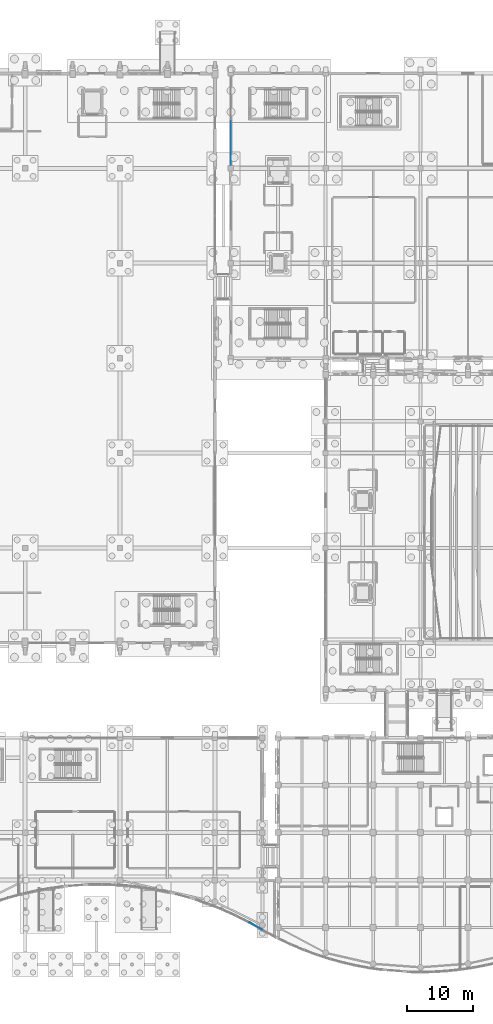
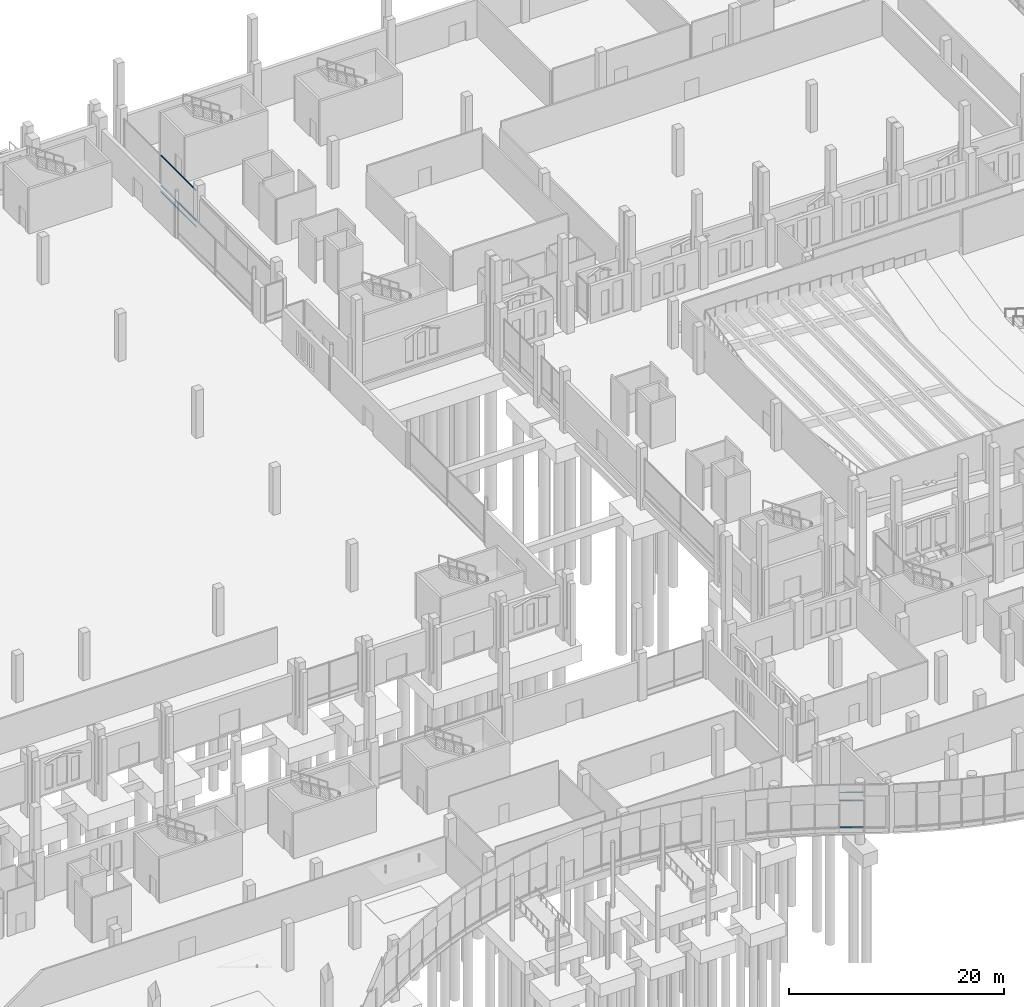
# One storey, part 69 of 192: 6 members, 2 elements without a shape of their own.
"""IFC4 building model written with IfcOpenShell, lengths in metres."""

from ifc_helpers import new_model, si_unit, direction, frame, origin, origin_2d, place, context, subcontext, project, spatial, hollow_rectangle, extrude, material, material_profile, profile_set, type_object, element, aggregate, save


model = new_model("IFC4")

# Units and contexts
model_context = context("Model", 3, precision=1e-05, world=origin(), true_north=direction((0.0, 1.0)))
body_context = subcontext(model_context, "Body", "Model", "MODEL_VIEW")
ifc_project = project(units=[si_unit("LENGTHUNIT", "METRE"), si_unit("AREAUNIT", "SQUARE_METRE"), si_unit("VOLUMEUNIT", "CUBIC_METRE"), si_unit("PLANEANGLEUNIT", "RADIAN"), si_unit("MASSUNIT", "GRAM", prefix="KILO")], contexts=[model_context])

# Site, building, storey
site_placement = place(None, origin())
site = spatial("IfcSite", under=ifc_project, at=site_placement, CompositionType="ELEMENT")
building_placement = place(site_placement, origin())
building = spatial("IfcBuilding", under=site, at=building_placement, Name="Cendralis Lancet Convention Centre", CompositionType="ELEMENT")
storey_placement = place(building_placement, origin())
storey = spatial("IfcBuildingStorey", under=building, at=storey_placement, Name="L00", CompositionType="ELEMENT", Elevation=0.0)

# Curtain wall, members
ifc_material = material(Name="Anodised bronze architectural aluminium", Category="aluminium")
curtain_wall_type_1 = type_object("IfcCurtainWallType", Name="ARC-CW-WF01", PredefinedType="USERDEFINED", material=ifc_material)
curtain_wall_1_placement = place(storey_placement, origin())
curtain_wall_1 = element("IfcCurtainWall", 1, at=curtain_wall_1_placement, inside=storey, type_object=curtain_wall_type_1, Name="L00 Curtain Wall CW-WF1 #054", ObjectType="CURTAIN WALL", PredefinedType="USERDEFINED")
ifc_material_profile = material_profile(ifc_material, hollow_rectangle(XDim=0.06005859375, YDim=0.1201171875, WallThickness=0.00390625, at=origin_2d()), Name="AL-TRAN 60x120x4.0")
ifc_profile_set = profile_set([ifc_material_profile], Name="Anodised bronze architectural aluminium")
member_type = type_object("IfcMemberType", Name="ARC-CW-TR01", PredefinedType="USERDEFINED", material=ifc_profile_set)
member_1_placement = place(storey_placement, frame((127.64208984375, 7.96533203125, 0.510009765625), z_axis=(0.869356216122, -0.494185966505, 0.0), x_axis=(0.494185966505, 0.869356216122, 0.0)))
member_1 = element("IfcMember", 2, at=member_1_placement, type_object=member_type, Name="Transom CW2-CW-WF1-L00-054-T0BOT", ObjectType="TRANSOM", PredefinedType="USERDEFINED", context=body_context, shape_type="SweptSolid", body=[
    extrude(hollow_rectangle(XDim=0.06005859375, YDim=0.1201171875, WallThickness=0.00390625, at=origin_2d()), origin(), (0.0, 0.0, 1.0), 2.209228515625),
])
member_2_placement = place(storey_placement, frame((127.64208984375, 7.96533203125, 3.574951171875), z_axis=(0.869356216122, -0.494185966505, 0.0), x_axis=(0.494185966505, 0.869356216122, 0.0)))
member_2 = element("IfcMember", 3, at=member_2_placement, type_object=member_type, Name="Transom CW2-CW-WF1-L00-054-T0MID", ObjectType="TRANSOM", PredefinedType="USERDEFINED", context=body_context, shape_type="SweptSolid", body=[
    extrude(hollow_rectangle(XDim=0.06005859375, YDim=0.1201171875, WallThickness=0.00390625, at=origin_2d()), origin(), (0.0, 0.0, 1.0), 2.209228515625),
])
member_3_placement = place(storey_placement, frame((127.64208984375, 7.96533203125, 4.445068359375), z_axis=(0.869356216122, -0.494185966505, 0.0), x_axis=(0.494185966505, 0.869356216122, 0.0)))
member_3 = element("IfcMember", 4, at=member_3_placement, type_object=member_type, Name="Transom CW2-CW-WF1-L00-054-T0TOP", ObjectType="TRANSOM", PredefinedType="USERDEFINED", context=body_context, shape_type="SweptSolid", body=[
    extrude(hollow_rectangle(XDim=0.06005859375, YDim=0.1201171875, WallThickness=0.00390625, at=origin_2d()), origin(), (0.0, 0.0, 1.0), 2.209228515625),
])
aggregate(curtain_wall_1, [member_1, member_2, member_3])

curtain_wall_type_2 = type_object("IfcCurtainWallType", Name="ARC-CW-BL01", PredefinedType="USERDEFINED", material=ifc_material)
curtain_wall_2_placement = place(storey_placement, origin())
curtain_wall_2 = element("IfcCurtainWall", 5, at=curtain_wall_2_placement, inside=storey, type_object=curtain_wall_type_2, Name="L00 Curtain Wall CW-BL1 #146", ObjectType="CURTAIN WALL", PredefinedType="USERDEFINED")
member_4_placement = place(storey_placement, frame((124.800048828125, 122.919921875, 0.06005859375), z_axis=(0.0, 1.0, 0.0), x_axis=(-1.0, 0.0, 0.0)))
member_4 = element("IfcMember", 6, at=member_4_placement, type_object=member_type, Name="Transom CW2-CW-BL1-L00-146-T0BOT", ObjectType="TRANSOM", PredefinedType="USERDEFINED", context=body_context, shape_type="SweptSolid", body=[
    extrude(hollow_rectangle(XDim=0.06005859375, YDim=0.1201171875, WallThickness=0.00390625, at=origin_2d()), origin(), (0.0, 0.0, 1.0), 6.610107421875),
])
member_5_placement = place(storey_placement, frame((124.800048828125, 122.919921875, 0.75), z_axis=(0.0, 1.0, 0.0), x_axis=(-1.0, 0.0, 0.0)))
member_5 = element("IfcMember", 7, at=member_5_placement, type_object=member_type, Name="Transom CW2-CW-BL1-L00-146-T0MID", ObjectType="TRANSOM", PredefinedType="USERDEFINED", context=body_context, shape_type="SweptSolid", body=[
    extrude(hollow_rectangle(XDim=0.06005859375, YDim=0.1201171875, WallThickness=0.00390625, at=origin_2d()), origin(), (0.0, 0.0, 1.0), 6.610107421875),
])
member_6_placement = place(storey_placement, frame((124.800048828125, 122.919921875, 4.195068359375), z_axis=(0.0, 1.0, 0.0), x_axis=(-1.0, 0.0, 0.0)))
member_6 = element("IfcMember", 8, at=member_6_placement, type_object=member_type, Name="Transom CW2-CW-BL1-L00-146-T0TOP", ObjectType="TRANSOM", PredefinedType="USERDEFINED", context=body_context, shape_type="SweptSolid", body=[
    extrude(hollow_rectangle(XDim=0.06005859375, YDim=0.1201171875, WallThickness=0.00390625, at=origin_2d()), origin(), (0.0, 0.0, 1.0), 6.610107421875),
])
aggregate(curtain_wall_2, [member_4, member_5, member_6])

save(model, "model.ifc")
